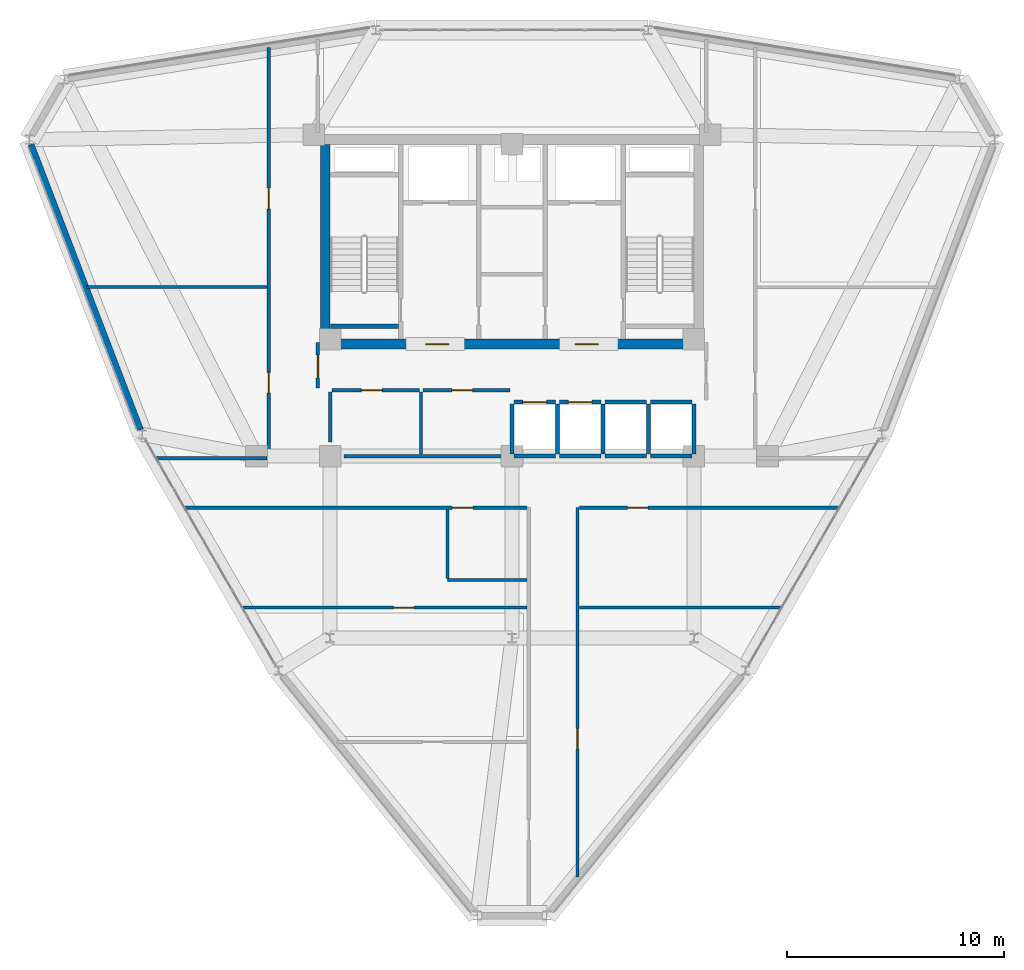
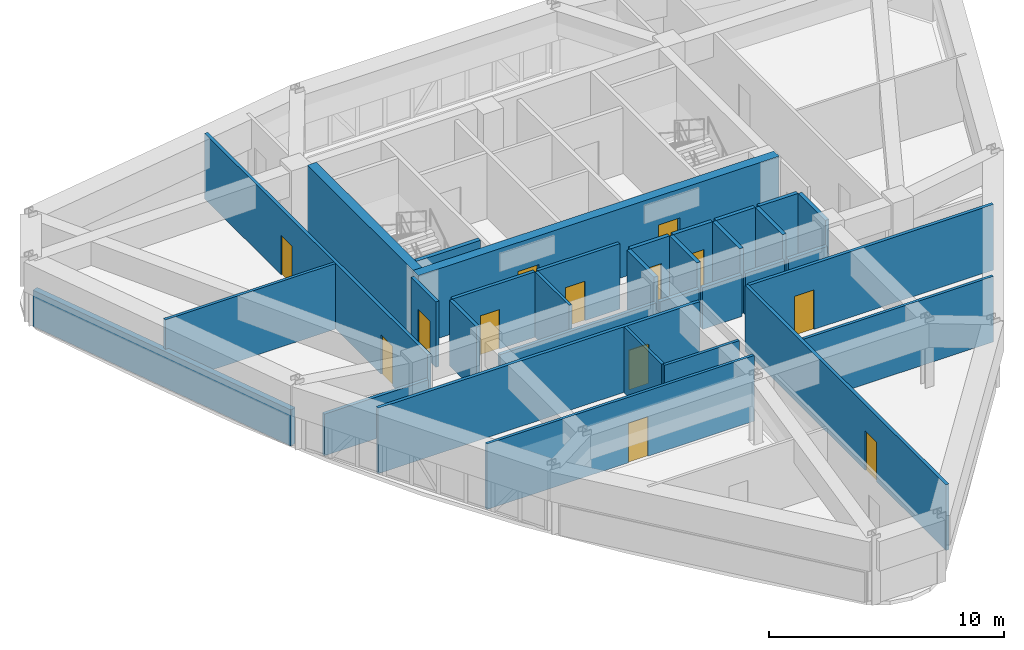
# One storey, part 10 of 13: 33 walls, 13 doors, 13 openings.
"""IFC4 building model written with IfcOpenShell, lengths in metres."""

from ifc_helpers import new_model, si_unit, derived_unit, direction, frame, frame_2d, origin, place, context, subcontext, project, spatial, rectangle, extrude, material, layer, layer_set, type_object, element, fill, save


model = new_model("IFC4")

# Units and contexts
model_context = context("Model", 3, precision=1e-05, world=origin(), true_north=direction((0.0, 1.0)))
body_context = subcontext(model_context, "Body", "Model", "MODEL_VIEW")
ifc_project = project(units=[si_unit("LENGTHUNIT", "METRE"), si_unit("AREAUNIT", "SQUARE_METRE"), si_unit("VOLUMEUNIT", "CUBIC_METRE"), si_unit("PLANEANGLEUNIT", "RADIAN"), si_unit("MASSUNIT", "GRAM", prefix="KILO"), derived_unit("THERMALTRANSMITTANCEUNIT", [(si_unit("POWERUNIT", "WATT"), 1), (si_unit("LENGTHUNIT", "METRE"), -2), (si_unit("THERMODYNAMICTEMPERATUREUNIT", "KELVIN"), -1)])], contexts=[model_context])

# Site, building, storey
site_placement = place(None, origin())
site = spatial("IfcSite", under=ifc_project, at=site_placement, CompositionType="ELEMENT")
building_placement = place(site_placement, origin())
building = spatial("IfcBuilding", under=site, at=building_placement, Name="Korsvarv Bourse and Concert Hall", CompositionType="ELEMENT")
storey_placement = place(building_placement, frame((0.0, 0.0, 183.0)))
storey = spatial("IfcBuildingStorey", under=building, at=storey_placement, Name="L47", CompositionType="ELEMENT", Elevation=183.0)

# Wall
ifc_material_1 = material(Name="Concrete C50/60", Category="concrete")
ifc_layer_1 = layer(ifc_material_1, 0.3798828125)
ifc_layer_set_1 = layer_set([ifc_layer_1], Name="Concrete C50/60")
wall_type_1 = type_object("IfcWallType", Name="WL-CORE-380", PredefinedType="SHEAR", material=ifc_layer_set_1)
wall_1_placement = place(storey_placement, frame((27.610107421875, 38.39990234375, 0.0), z_axis=(0.0, 0.0, 1.0), x_axis=(1.0, 0.0, 0.0)))
element("IfcWall", 1, at=wall_1_placement, inside=storey, type_object=wall_type_1, Name="L47 stair shaft structural wall W-L47-ST1-S", PredefinedType="SHEAR", context=body_context, shape_type="SweptSolid", body=[
    extrude(rectangle(XDim=3.139892578125, YDim=0.199951171875, at=frame_2d((1.56982421875, 0.0))), origin(), (0.0, 0.0, 1.0), 3.60009765625),
])

# Wall, openings, doors
ifc_material_2 = material(Name="Concrete C55/67", Category="concrete")
ifc_layer_2 = layer(ifc_material_2, 0.449951171875)
ifc_layer_set_2 = layer_set([ifc_layer_2], Name="Concrete C55/67")
wall_type_2 = type_object("IfcWallType", Name="WL-CORE-450", PredefinedType="SHEAR", material=ifc_layer_set_2)
wall_2_placement = place(storey_placement, frame((27.14990234375, 37.574951171875, 0.0), z_axis=(0.0, 0.0, 1.0), x_axis=(1.0, 0.0, 0.0)))
wall_2 = element("IfcWall", 2, at=wall_2_placement, inside=storey, type_object=wall_type_2, Name="L47 South Core Shear Wall", PredefinedType="SHEAR", context=body_context, shape_type="SweptSolid", body=[
    extrude(rectangle(XDim=17.7001953125, YDim=0.449951171875, at=frame_2d((8.85009765625, 0.0))), origin(), (0.0, 0.0, 1.0), 3.60009765625),
])
opening_1_placement = place(wall_2_placement, frame((4.875, 0.0, 0.0)))
opening_1 = element("IfcOpeningElement", 3, at=opening_1_placement, cuts=wall_2, Name="Opening D-01", PredefinedType="OPENING", context=body_context, shape_type="SweptSolid", body=[
    extrude(rectangle(XDim=1.050048828125, YDim=2.10009765625, at=frame_2d((0.52490234375, 1.050048828125))), frame((0.0, 0.23486328125, 0.0), z_axis=(0.0, -1.0, 0.0), x_axis=(1.0, 0.0, 0.0)), (0.0, 0.0, 1.0), 0.469970703125),
])
opening_2_placement = place(wall_2_placement, frame((11.77490234375, 0.0, 0.0)))
opening_2 = element("IfcOpeningElement", 4, at=opening_2_placement, cuts=wall_2, Name="Opening D-01", PredefinedType="OPENING", context=body_context, shape_type="SweptSolid", body=[
    extrude(rectangle(XDim=1.050048828125, YDim=2.10009765625, at=frame_2d((0.52490234375, 1.050048828125))), frame((0.0, 0.23486328125, 0.0), z_axis=(0.0, -1.0, 0.0), x_axis=(1.0, 0.0, 0.0)), (0.0, 0.0, 1.0), 0.469970703125),
])
ifc_material_3 = material(Name="Steel S355 fire door", Category="steel")
door_type_1 = type_object("IfcDoorType", Name="DR-FD60", OperationType="NOTDEFINED", PredefinedType="DOOR", material=ifc_material_3)
door_1_placement = place(opening_1_placement, frame((1.050048828125, 0.0, 0.0), z_axis=(0.0, 0.0, 1.0), x_axis=(-1.0, 0.0, 0.0)))
door_1 = element("IfcDoor", 5, at=door_1_placement, inside=storey, type_object=door_type_1, Name="L47 firefighting lobby fire door DR-L47-FFLW", OperationType="SINGLE_SWING_RIGHT", OverallHeight=2.10009765625, OverallWidth=1.050048828125, PredefinedType="DOOR", context=body_context, shape_type="SweptSolid", body=[
    extrude(rectangle(XDim=1.050048828125, YDim=2.10009765625, at=frame_2d((0.52490234375, 1.050048828125))), frame((0.0, 0.02490234375, 0.0), z_axis=(0.0, -1.0, 0.0), x_axis=(1.0, 0.0, 0.0)), (0.0, 0.0, 1.0), 0.050048828125),
])
fill(opening_1, door_1)
door_2_placement = place(opening_2_placement, frame((1.050048828125, 0.0, 0.0), z_axis=(0.0, 0.0, 1.0), x_axis=(-1.0, 0.0, 0.0)))
door_2 = element("IfcDoor", 6, at=door_2_placement, inside=storey, type_object=door_type_1, Name="L47 firefighting lobby fire door DR-L47-FFLE", OperationType="SINGLE_SWING_LEFT", OverallHeight=2.10009765625, OverallWidth=1.050048828125, PredefinedType="DOOR", context=body_context, shape_type="SweptSolid", body=[
    extrude(rectangle(XDim=1.050048828125, YDim=2.10009765625, at=frame_2d((0.52490234375, 1.050048828125))), frame((0.0, 0.02490234375, 0.0), z_axis=(0.0, -1.0, 0.0), x_axis=(1.0, 0.0, 0.0)), (0.0, 0.0, 1.0), 0.050048828125),
])
fill(opening_2, door_2)

# Walls
wall_3_placement = place(storey_placement, frame((27.375, 37.800048828125, 0.0), z_axis=(0.0, 0.0, 1.0), x_axis=(0.0, 1.0, 0.0)))
element("IfcWall", 7, at=wall_3_placement, inside=storey, type_object=wall_type_2, Name="L47 West Core Shear Wall", PredefinedType="SHEAR", context=body_context, shape_type="SweptSolid", body=[
    extrude(rectangle(XDim=9.0, YDim=0.449951171875, at=frame_2d((4.5, 0.0))), origin(), (0.0, 0.0, 1.0), 3.60009765625),
])
ifc_material_4 = material(Name="Precast concrete C45/55 with fluted terracotta pier", Category="concrete")
ifc_layer_3 = layer(ifc_material_4, 0.280029296875)
ifc_layer_set_3 = layer_set([ifc_layer_3], Name="Precast concrete C45/55 with fluted terracotta pier")
wall_type_3 = type_object("IfcWallType", Name="WL-EXT-TC2", PredefinedType="SOLIDWALL", material=ifc_layer_set_3)
wall_4_placement = place(storey_placement, frame((13.79150390625, 46.7998046875, 0.0), z_axis=(0.0, 0.0, 1.0), x_axis=(0.358033263681, -0.933708831541, 0.0)))
element("IfcWall", 8, at=wall_4_placement, inside=storey, type_object=wall_type_3, Name="L47 terracotta exterior wall EW-L47-B06", PredefinedType="SOLIDWALL", context=body_context, shape_type="SweptSolid", body=[
    extrude(rectangle(XDim=14.1171875, YDim=0.280029296875, at=frame_2d((7.05859375, 0.0))), origin(), (0.0, 0.0, 1.0), 1.8701171875),
])
ifc_material_5 = material(Name="Double-stud fire-rated acoustic partition", Category="gypsum")
ifc_layer_4 = layer(ifc_material_5, 0.159912109375)
ifc_layer_set_4 = layer_set([ifc_layer_4], Name="Double-stud fire-rated acoustic partition")
wall_type_4 = type_object("IfcWallType", Name="WL-INT-EI60", PredefinedType="PARTITIONING", material=ifc_layer_set_4)
wall_5_placement = place(storey_placement, frame((28.25, 32.39990234375, 0.0), z_axis=(0.0, 0.0, 1.0), x_axis=(1.0, 0.0, 0.0)))
element("IfcWall", 9, at=wall_5_placement, inside=storey, type_object=wall_type_4, Name="L47 interior partition wall W-L47-FRD-S", PredefinedType="PARTITIONING", context=body_context, shape_type="SweptSolid", body=[
    extrude(rectangle(XDim=7.64990234375, YDim=0.159912109375, at=frame_2d((3.824951171875, 0.0))), origin(), (0.0, 0.0, 1.0), 2.159912109375),
])
wall_6_placement = place(storey_placement, frame((27.60009765625, 33.050048828125, 0.0), z_axis=(0.0, 0.0, 1.0), x_axis=(0.0, 1.0, 0.0)))
element("IfcWall", 10, at=wall_6_placement, inside=storey, type_object=wall_type_4, Name="L47 interior partition wall W-L47-FRD-W", PredefinedType="PARTITIONING", context=body_context, shape_type="SweptSolid", body=[
    extrude(rectangle(XDim=2.31005859375, YDim=0.159912109375, at=frame_2d((1.155029296875, 0.0))), origin(), (0.0, 0.0, 1.0), 3.39990234375),
])

# Wall, opening, door
wall_7_placement = place(storey_placement, frame((27.68994140625, 35.449951171875, 0.0), z_axis=(0.0, 0.0, 1.0), x_axis=(1.0, 0.0, 0.0)))
wall_7 = element("IfcWall", 11, at=wall_7_placement, inside=storey, type_object=wall_type_4, Name="L47 interior partition wall W-L47-FRD-N1", PredefinedType="PARTITIONING", context=body_context, shape_type="SweptSolid", body=[
    extrude(rectangle(XDim=4.030029296875, YDim=0.159912109375, at=frame_2d((2.01513671875, 0.0))), origin(), (0.0, 0.0, 1.0), 3.39990234375),
])
opening_3_placement = place(wall_7_placement, frame((1.35009765625, 0.0, 0.0)))
opening_3 = element("IfcOpeningElement", 12, at=opening_3_placement, cuts=wall_7, Name="Opening D-03", PredefinedType="OPENING", context=body_context, shape_type="SweptSolid", body=[
    extrude(rectangle(XDim=0.949951171875, YDim=2.050048828125, at=frame_2d((0.47509765625, 1.02490234375))), frame((0.0, 0.08984375, 0.0), z_axis=(0.0, -1.0, 0.0), x_axis=(1.0, 0.0, 0.0)), (0.0, 0.0, 1.0), 0.179931640625),
])
ifc_material_6 = material(Name="Nordic oak acoustic office door", Category="wood")
door_type_2 = type_object("IfcDoorType", Name="DR-INT-1", OperationType="NOTDEFINED", PredefinedType="DOOR", material=ifc_material_6)
door_3_placement = place(opening_3_placement, origin())
door_3 = element("IfcDoor", 13, at=door_3_placement, inside=storey, type_object=door_type_2, Name="L47 interior door DR-L47-FRDN1", OperationType="SINGLE_SWING_LEFT", OverallHeight=2.050048828125, OverallWidth=0.949951171875, PredefinedType="DOOR", context=body_context, shape_type="SweptSolid", body=[
    extrude(rectangle(XDim=0.949951171875, YDim=2.050048828125, at=frame_2d((0.47509765625, 1.02490234375))), frame((0.0, 0.02490234375, 0.0), z_axis=(0.0, -1.0, 0.0), x_axis=(1.0, 0.0, 0.0)), (0.0, 0.0, 1.0), 0.050048828125),
])
fill(opening_3, door_3)

wall_8_placement = place(storey_placement, frame((31.8798828125, 35.449951171875, 0.0), z_axis=(0.0, 0.0, 1.0), x_axis=(1.0, 0.0, 0.0)))
wall_8 = element("IfcWall", 14, at=wall_8_placement, inside=storey, type_object=wall_type_4, Name="L47 interior partition wall W-L47-FRD-N2", PredefinedType="PARTITIONING", context=body_context, shape_type="SweptSolid", body=[
    extrude(rectangle(XDim=4.02001953125, YDim=0.159912109375, at=frame_2d((2.010009765625, 0.0))), origin(), (0.0, 0.0, 1.0), 3.39990234375),
])
opening_4_placement = place(wall_8_placement, frame((1.35009765625, 0.0, 0.0)))
opening_4 = element("IfcOpeningElement", 15, at=opening_4_placement, cuts=wall_8, Name="Opening D-03", PredefinedType="OPENING", context=body_context, shape_type="SweptSolid", body=[
    extrude(rectangle(XDim=0.949951171875, YDim=2.050048828125, at=frame_2d((0.47509765625, 1.02490234375))), frame((0.0, 0.08984375, 0.0), z_axis=(0.0, -1.0, 0.0), x_axis=(1.0, 0.0, 0.0)), (0.0, 0.0, 1.0), 0.179931640625),
])
door_4_placement = place(opening_4_placement, origin())
door_4 = element("IfcDoor", 16, at=door_4_placement, inside=storey, type_object=door_type_2, Name="L47 interior door DR-L47-FRDN2", OperationType="SINGLE_SWING_RIGHT", OverallHeight=2.050048828125, OverallWidth=0.949951171875, PredefinedType="DOOR", context=body_context, shape_type="SweptSolid", body=[
    extrude(rectangle(XDim=0.949951171875, YDim=2.050048828125, at=frame_2d((0.47509765625, 1.02490234375))), frame((0.0, 0.02490234375, 0.0), z_axis=(0.0, -1.0, 0.0), x_axis=(1.0, 0.0, 0.0)), (0.0, 0.0, 1.0), 0.050048828125),
])
fill(opening_4, door_4)

wall_9_placement = place(storey_placement, frame((27.0400390625, 35.5400390625, 0.0), z_axis=(0.0, 0.0, 1.0), x_axis=(0.0, 1.0, 0.0)))
wall_9 = element("IfcWall", 17, at=wall_9_placement, inside=storey, type_object=wall_type_4, Name="L47 interior partition wall W-L47-LOB-WL", PredefinedType="PARTITIONING", context=body_context, shape_type="SweptSolid", body=[
    extrude(rectangle(XDim=2.10986328125, YDim=0.159912109375, at=frame_2d((1.054931640625, 0.0))), origin(), (0.0, 0.0, 1.0), 3.39990234375),
])
opening_5_placement = place(wall_9_placement, frame((0.47998046875, 0.0, 0.0)))
opening_5 = element("IfcOpeningElement", 18, at=opening_5_placement, cuts=wall_9, Name="Opening D-01", PredefinedType="OPENING", context=body_context, shape_type="SweptSolid", body=[
    extrude(rectangle(XDim=1.050048828125, YDim=2.10009765625, at=frame_2d((0.52490234375, 1.050048828125))), frame((0.0, 0.08984375, 0.0), z_axis=(0.0, -1.0, 0.0), x_axis=(1.0, 0.0, 0.0)), (0.0, 0.0, 1.0), 0.179931640625),
])
door_5_placement = place(opening_5_placement, frame((1.050048828125, 0.0, 0.0), z_axis=(0.0, 0.0, 1.0), x_axis=(-1.0, 0.0, 0.0)))
door_5 = element("IfcDoor", 19, at=door_5_placement, inside=storey, type_object=door_type_1, Name="L47 interior door DR-L47-LOBW", OperationType="SINGLE_SWING_LEFT", OverallHeight=2.10009765625, OverallWidth=1.050048828125, PredefinedType="DOOR", context=body_context, shape_type="SweptSolid", body=[
    extrude(rectangle(XDim=1.050048828125, YDim=2.10009765625, at=frame_2d((0.52490234375, 1.050048828125))), frame((0.0, 0.02490234375, 0.0), z_axis=(0.0, -1.0, 0.0), x_axis=(1.0, 0.0, 0.0)), (0.0, 0.0, 1.0), 0.050048828125),
])
fill(opening_5, door_5)

# Wall, openings, doors
wall_10_placement = place(storey_placement, frame((24.77490234375, 32.31005859375, 0.0), z_axis=(0.0, 0.0, 1.0), x_axis=(0.0, 1.0, 0.0)))
wall_10 = element("IfcWall", 20, at=wall_10_placement, inside=storey, type_object=wall_type_4, Name="L47 interior partition wall W-L47-TCOR-02", PredefinedType="PARTITIONING", context=body_context, shape_type="SweptSolid", body=[
    extrude(rectangle(XDim=18.96875, YDim=0.159912109375, at=frame_2d((9.484375, 0.0))), origin(), (0.0, 0.0, 1.0), 3.39990234375),
])
opening_6_placement = place(wall_10_placement, frame((3.008056640625, 0.0, 0.0)))
opening_6 = element("IfcOpeningElement", 21, at=opening_6_placement, cuts=wall_10, Name="Opening D-02", PredefinedType="OPENING", context=body_context, shape_type="SweptSolid", body=[
    extrude(rectangle(XDim=0.949951171875, YDim=2.050048828125, at=frame_2d((0.47509765625, 1.02490234375))), frame((0.0, 0.08984375, 0.0), z_axis=(0.0, -1.0, 0.0), x_axis=(1.0, 0.0, 0.0)), (0.0, 0.0, 1.0), 0.179931640625),
])
opening_7_placement = place(wall_10_placement, frame((11.512939453125, 0.0, 0.0)))
opening_7 = element("IfcOpeningElement", 22, at=opening_7_placement, cuts=wall_10, Name="Opening D-02", PredefinedType="OPENING", context=body_context, shape_type="SweptSolid", body=[
    extrude(rectangle(XDim=0.949951171875, YDim=2.050048828125, at=frame_2d((0.47509765625, 1.02490234375))), frame((0.0, 0.08984375, 0.0), z_axis=(0.0, -1.0, 0.0), x_axis=(1.0, 0.0, 0.0)), (0.0, 0.0, 1.0), 0.179931640625),
])
ifc_material_7 = material(Name="Timber and steel acoustic fire door", Category="wood")
door_type_3 = type_object("IfcDoorType", Name="DR-FD30", OperationType="NOTDEFINED", PredefinedType="DOOR", material=ifc_material_7)
door_6_placement = place(opening_6_placement, origin())
door_6 = element("IfcDoor", 23, at=door_6_placement, inside=storey, type_object=door_type_3, Name="L47 interior door DR-L47-TCOR-AR79", OperationType="SINGLE_SWING_LEFT", OverallHeight=2.050048828125, OverallWidth=0.949951171875, PredefinedType="DOOR", context=body_context, shape_type="SweptSolid", body=[
    extrude(rectangle(XDim=0.949951171875, YDim=2.050048828125, at=frame_2d((0.47509765625, 1.02490234375))), frame((0.0, 0.02490234375, 0.0), z_axis=(0.0, -1.0, 0.0), x_axis=(1.0, 0.0, 0.0)), (0.0, 0.0, 1.0), 0.050048828125),
])
fill(opening_6, door_6)
door_7_placement = place(opening_7_placement, origin())
door_7 = element("IfcDoor", 24, at=door_7_placement, inside=storey, type_object=door_type_3, Name="L47 interior door DR-L47-TCOR-RM1010", OperationType="SINGLE_SWING_RIGHT", OverallHeight=2.050048828125, OverallWidth=0.949951171875, PredefinedType="DOOR", context=body_context, shape_type="SweptSolid", body=[
    extrude(rectangle(XDim=0.949951171875, YDim=2.050048828125, at=frame_2d((0.47509765625, 1.02490234375))), frame((0.0, 0.02490234375, 0.0), z_axis=(0.0, -1.0, 0.0), x_axis=(1.0, 0.0, 0.0)), (0.0, 0.0, 1.0), 0.050048828125),
])
fill(opening_7, door_7)

# Wall, opening, door
wall_11_placement = place(storey_placement, frame((39.02490234375, 12.95849609375, 0.0), z_axis=(0.0, 0.0, 1.0), x_axis=(0.0, 1.0, 0.0)))
wall_11 = element("IfcWall", 25, at=wall_11_placement, inside=storey, type_object=wall_type_4, Name="L47 interior partition wall W-L47-TCOR-04", PredefinedType="PARTITIONING", context=body_context, shape_type="SweptSolid", body=[
    extrude(rectangle(XDim=17.071533203125, YDim=0.159912109375, at=frame_2d((8.53564453125, 0.0))), origin(), (0.0, 0.0, 1.0), 3.39990234375),
])
opening_8_placement = place(wall_11_placement, frame((5.908203125, 0.0, 0.0)))
opening_8 = element("IfcOpeningElement", 26, at=opening_8_placement, cuts=wall_11, Name="Opening D-02", PredefinedType="OPENING", context=body_context, shape_type="SweptSolid", body=[
    extrude(rectangle(XDim=0.949951171875, YDim=2.050048828125, at=frame_2d((0.47509765625, 1.02490234375))), frame((0.0, 0.08984375, 0.0), z_axis=(0.0, -1.0, 0.0), x_axis=(1.0, 0.0, 0.0)), (0.0, 0.0, 1.0), 0.179931640625),
])
door_8_placement = place(opening_8_placement, origin())
door_8 = element("IfcDoor", 27, at=door_8_placement, inside=storey, type_object=door_type_3, Name="L47 interior door DR-L47-TCOR-AR43", OperationType="SINGLE_SWING_RIGHT", OverallHeight=2.050048828125, OverallWidth=0.949951171875, PredefinedType="DOOR", context=body_context, shape_type="SweptSolid", body=[
    extrude(rectangle(XDim=0.949951171875, YDim=2.050048828125, at=frame_2d((0.47509765625, 1.02490234375))), frame((0.0, 0.02490234375, 0.0), z_axis=(0.0, -1.0, 0.0), x_axis=(1.0, 0.0, 0.0)), (0.0, 0.0, 1.0), 0.050048828125),
])
fill(opening_8, door_8)

wall_12_placement = place(storey_placement, frame((20.8994140625, 30.02490234375, 0.0), z_axis=(0.0, 0.0, 1.0), x_axis=(1.0, 0.0, 0.0)))
wall_12 = element("IfcWall", 28, at=wall_12_placement, inside=storey, type_object=wall_type_4, Name="L47 interior partition wall W-L47-TCOR-05", PredefinedType="PARTITIONING", context=body_context, shape_type="SweptSolid", body=[
    extrude(rectangle(XDim=15.793701171875, YDim=0.159912109375, at=frame_2d((7.89697265625, 0.0))), origin(), (0.0, 0.0, 1.0), 3.39990234375),
])
opening_9_placement = place(wall_12_placement, frame((12.3408203125, 0.0, 0.0)))
opening_9 = element("IfcOpeningElement", 29, at=opening_9_placement, cuts=wall_12, Name="Opening D-02", PredefinedType="OPENING", context=body_context, shape_type="SweptSolid", body=[
    extrude(rectangle(XDim=0.949951171875, YDim=2.050048828125, at=frame_2d((0.47509765625, 1.02490234375))), frame((0.0, 0.08984375, 0.0), z_axis=(0.0, -1.0, 0.0), x_axis=(1.0, 0.0, 0.0)), (0.0, 0.0, 1.0), 0.179931640625),
])
door_9_placement = place(opening_9_placement, origin())
door_9 = element("IfcDoor", 30, at=door_9_placement, inside=storey, type_object=door_type_3, Name="L47 interior door DR-L47-TCOR-RWC", OperationType="SINGLE_SWING_LEFT", OverallHeight=2.050048828125, OverallWidth=0.949951171875, PredefinedType="DOOR", context=body_context, shape_type="SweptSolid", body=[
    extrude(rectangle(XDim=0.949951171875, YDim=2.050048828125, at=frame_2d((0.47509765625, 1.02490234375))), frame((0.0, 0.02490234375, 0.0), z_axis=(0.0, -1.0, 0.0), x_axis=(1.0, 0.0, 0.0)), (0.0, 0.0, 1.0), 0.050048828125),
])
fill(opening_9, door_9)

wall_13_placement = place(storey_placement, frame((39.10693359375, 30.02490234375, 0.0), z_axis=(0.0, 0.0, 1.0), x_axis=(1.0, 0.0, 0.0)))
wall_13 = element("IfcWall", 31, at=wall_13_placement, inside=storey, type_object=wall_type_4, Name="L47 interior partition wall W-L47-TCOR-06", PredefinedType="PARTITIONING", context=body_context, shape_type="SweptSolid", body=[
    extrude(rectangle(XDim=11.99365234375, YDim=0.159912109375, at=frame_2d((5.996826171875, 0.0))), origin(), (0.0, 0.0, 1.0), 3.39990234375),
])
opening_10_placement = place(wall_13_placement, frame((2.2255859375, 0.0, 0.0)))
opening_10 = element("IfcOpeningElement", 32, at=opening_10_placement, cuts=wall_13, Name="Opening D-02", PredefinedType="OPENING", context=body_context, shape_type="SweptSolid", body=[
    extrude(rectangle(XDim=0.949951171875, YDim=2.050048828125, at=frame_2d((0.47509765625, 1.02490234375))), frame((0.0, 0.08984375, 0.0), z_axis=(0.0, -1.0, 0.0), x_axis=(1.0, 0.0, 0.0)), (0.0, 0.0, 1.0), 0.179931640625),
])
door_10_placement = place(opening_10_placement, origin())
door_10 = element("IfcDoor", 33, at=door_10_placement, inside=storey, type_object=door_type_3, Name="L47 interior door DR-L47-TCOR-AR24", OperationType="SINGLE_SWING_RIGHT", OverallHeight=2.050048828125, OverallWidth=0.949951171875, PredefinedType="DOOR", context=body_context, shape_type="SweptSolid", body=[
    extrude(rectangle(XDim=0.949951171875, YDim=2.050048828125, at=frame_2d((0.47509765625, 1.02490234375))), frame((0.0, 0.02490234375, 0.0), z_axis=(0.0, -1.0, 0.0), x_axis=(1.0, 0.0, 0.0)), (0.0, 0.0, 1.0), 0.050048828125),
])
fill(opening_10, door_10)

# Wall
wall_14_placement = place(storey_placement, frame((19.5771484375, 32.31494140625, 0.0), z_axis=(0.0, 0.0, 1.0), x_axis=(1.0, 0.0, 0.0)))
element("IfcWall", 34, at=wall_14_placement, inside=storey, type_object=wall_type_4, Name="L47 interior partition wall W-L47-TCOR-08", PredefinedType="PARTITIONING", context=body_context, shape_type="SweptSolid", body=[
    extrude(rectangle(XDim=5.115966796875, YDim=0.159912109375, at=frame_2d((2.55810546875, 0.0))), origin(), (0.0, 0.0, 1.0), 2.159912109375),
])

# Wall, opening, door
ifc_material_8 = material(Name="Gypsum-clad autoclaved concrete shaft wall C30/37", Category="concrete")
ifc_layer_5 = layer(ifc_material_8, 0.179931640625)
ifc_layer_set_5 = layer_set([ifc_layer_5], Name="Gypsum-clad autoclaved concrete shaft wall C30/37")
wall_type_5 = type_object("IfcWallType", Name="WL-INT-EI90", PredefinedType="PARTITIONING", material=ifc_layer_set_5)
wall_15_placement = place(storey_placement, frame((36.090087890625, 34.89990234375, 0.0), z_axis=(0.0, 0.0, 1.0), x_axis=(1.0, 0.0, 0.0)))
wall_15 = element("IfcWall", 35, at=wall_15_placement, inside=storey, type_object=wall_type_5, Name="L47 interior partition wall W-L47-SHFN-PH1", PredefinedType="PARTITIONING", context=body_context, shape_type="SweptSolid", body=[
    extrude(rectangle(XDim=1.919921875, YDim=0.179931640625, at=frame_2d((0.9599609375, 0.0))), origin(), (0.0, 0.0, 1.0), 3.39990234375),
])
opening_11_placement = place(wall_15_placement, frame((0.409912109375, 0.0, 0.0)))
opening_11 = element("IfcOpeningElement", 36, at=opening_11_placement, cuts=wall_15, Name="Opening LD-2", PredefinedType="OPENING", context=body_context, shape_type="SweptSolid", body=[
    extrude(rectangle(XDim=1.10009765625, YDim=2.10009765625, at=frame_2d((0.550048828125, 1.050048828125))), frame((0.0, 0.10009765625, 0.0), z_axis=(0.0, -1.0, 0.0), x_axis=(1.0, 0.0, 0.0)), (0.0, 0.0, 1.0), 0.199951171875),
])
ifc_material_9 = material(Name="Brushed stainless Steel S355 lift landing door", Category="steel")
door_type_4 = type_object("IfcDoorType", Name="DR-LIFT-P", OperationType="DOUBLE_DOOR_SLIDING", PredefinedType="DOOR", material=ifc_material_9)
door_11_placement = place(opening_11_placement, origin())
door_11 = element("IfcDoor", 37, at=door_11_placement, inside=storey, type_object=door_type_4, Name="L47 lift sliding landing door LD-L47-PH1", OperationType="DOUBLE_DOOR_SLIDING", OverallHeight=2.10009765625, OverallWidth=1.10009765625, PredefinedType="DOOR", context=body_context, shape_type="SweptSolid", body=[
    extrude(rectangle(XDim=1.10009765625, YDim=2.10009765625, at=frame_2d((0.550048828125, 1.050048828125))), frame((0.0, 0.02490234375, 0.0), z_axis=(0.0, -1.0, 0.0), x_axis=(1.0, 0.0, 0.0)), (0.0, 0.0, 1.0), 0.050048828125),
])
fill(opening_11, door_11)

# Walls
wall_16_placement = place(storey_placement, frame((36.090087890625, 32.39990234375, 0.0), z_axis=(0.0, 0.0, 1.0), x_axis=(1.0, 0.0, 0.0)))
element("IfcWall", 38, at=wall_16_placement, inside=storey, type_object=wall_type_5, Name="L47 interior partition wall W-L47-SHFS-PH1", PredefinedType="PARTITIONING", context=body_context, shape_type="SweptSolid", body=[
    extrude(rectangle(XDim=1.919921875, YDim=0.179931640625, at=frame_2d((0.9599609375, 0.0))), origin(), (0.0, 0.0, 1.0), 2.159912109375),
])
wall_17_placement = place(storey_placement, frame((36.0, 32.489990234375, 0.0), z_axis=(0.0, 0.0, 1.0), x_axis=(0.0, 1.0, 0.0)))
element("IfcWall", 39, at=wall_17_placement, inside=storey, type_object=wall_type_5, Name="L47 interior partition wall W-L47-SHFW-PH1", PredefinedType="PARTITIONING", context=body_context, shape_type="SweptSolid", body=[
    extrude(rectangle(XDim=2.320068359375, YDim=0.179931640625, at=frame_2d((1.16015625, 0.0))), origin(), (0.0, 0.0, 1.0), 3.39990234375),
])

# Wall, opening, door
wall_18_placement = place(storey_placement, frame((38.18994140625, 34.89990234375, 0.0), z_axis=(0.0, 0.0, 1.0), x_axis=(1.0, 0.0, 0.0)))
wall_18 = element("IfcWall", 40, at=wall_18_placement, inside=storey, type_object=wall_type_5, Name="L47 interior partition wall W-L47-SHFN-PH2", PredefinedType="PARTITIONING", context=body_context, shape_type="SweptSolid", body=[
    extrude(rectangle(XDim=1.920166015625, YDim=0.179931640625, at=frame_2d((0.9599609375, 0.0))), origin(), (0.0, 0.0, 1.0), 3.39990234375),
])
opening_12_placement = place(wall_18_placement, frame((0.409912109375, 0.0, 0.0)))
opening_12 = element("IfcOpeningElement", 41, at=opening_12_placement, cuts=wall_18, Name="Opening LD-2", PredefinedType="OPENING", context=body_context, shape_type="SweptSolid", body=[
    extrude(rectangle(XDim=1.10009765625, YDim=2.10009765625, at=frame_2d((0.550048828125, 1.050048828125))), frame((0.0, 0.10009765625, 0.0), z_axis=(0.0, -1.0, 0.0), x_axis=(1.0, 0.0, 0.0)), (0.0, 0.0, 1.0), 0.199951171875),
])
door_12_placement = place(opening_12_placement, origin())
door_12 = element("IfcDoor", 42, at=door_12_placement, inside=storey, type_object=door_type_4, Name="L47 lift sliding landing door LD-L47-PH2", OperationType="DOUBLE_DOOR_SLIDING", OverallHeight=2.10009765625, OverallWidth=1.10009765625, PredefinedType="DOOR", context=body_context, shape_type="SweptSolid", body=[
    extrude(rectangle(XDim=1.10009765625, YDim=2.10009765625, at=frame_2d((0.550048828125, 1.050048828125))), frame((0.0, 0.02490234375, 0.0), z_axis=(0.0, -1.0, 0.0), x_axis=(1.0, 0.0, 0.0)), (0.0, 0.0, 1.0), 0.050048828125),
])
fill(opening_12, door_12)

# Walls
wall_19_placement = place(storey_placement, frame((38.18994140625, 32.39990234375, 0.0), z_axis=(0.0, 0.0, 1.0), x_axis=(1.0, 0.0, 0.0)))
element("IfcWall", 43, at=wall_19_placement, inside=storey, type_object=wall_type_5, Name="L47 interior partition wall W-L47-SHFS-PH2", PredefinedType="PARTITIONING", context=body_context, shape_type="SweptSolid", body=[
    extrude(rectangle(XDim=1.920166015625, YDim=0.179931640625, at=frame_2d((0.9599609375, 0.0))), origin(), (0.0, 0.0, 1.0), 2.159912109375),
])
wall_20_placement = place(storey_placement, frame((38.10009765625, 32.489990234375, 0.0), z_axis=(0.0, 0.0, 1.0), x_axis=(0.0, 1.0, 0.0)))
element("IfcWall", 44, at=wall_20_placement, inside=storey, type_object=wall_type_5, Name="L47 interior partition wall W-L47-SHFW-PH2", PredefinedType="PARTITIONING", context=body_context, shape_type="SweptSolid", body=[
    extrude(rectangle(XDim=2.320068359375, YDim=0.179931640625, at=frame_2d((1.16015625, 0.0))), origin(), (0.0, 0.0, 1.0), 3.39990234375),
])
wall_21_placement = place(storey_placement, frame((40.2900390625, 34.89990234375, 0.0), z_axis=(0.0, 0.0, 1.0), x_axis=(1.0, 0.0, 0.0)))
element("IfcWall", 45, at=wall_21_placement, inside=storey, type_object=wall_type_5, Name="L47 interior partition wall W-L47-SHFN-PO1", PredefinedType="PARTITIONING", context=body_context, shape_type="SweptSolid", body=[
    extrude(rectangle(XDim=1.919921875, YDim=0.179931640625, at=frame_2d((0.9599609375, 0.0))), origin(), (0.0, 0.0, 1.0), 3.39990234375),
])
wall_22_placement = place(storey_placement, frame((40.2900390625, 32.39990234375, 0.0), z_axis=(0.0, 0.0, 1.0), x_axis=(1.0, 0.0, 0.0)))
element("IfcWall", 46, at=wall_22_placement, inside=storey, type_object=wall_type_5, Name="L47 interior partition wall W-L47-SHFS-PO1", PredefinedType="PARTITIONING", context=body_context, shape_type="SweptSolid", body=[
    extrude(rectangle(XDim=1.919921875, YDim=0.179931640625, at=frame_2d((0.9599609375, 0.0))), origin(), (0.0, 0.0, 1.0), 2.159912109375),
])
wall_23_placement = place(storey_placement, frame((40.199951171875, 32.489990234375, 0.0), z_axis=(0.0, 0.0, 1.0), x_axis=(0.0, 1.0, 0.0)))
element("IfcWall", 47, at=wall_23_placement, inside=storey, type_object=wall_type_5, Name="L47 interior partition wall W-L47-SHFW-PO1", PredefinedType="PARTITIONING", context=body_context, shape_type="SweptSolid", body=[
    extrude(rectangle(XDim=2.320068359375, YDim=0.179931640625, at=frame_2d((1.16015625, 0.0))), origin(), (0.0, 0.0, 1.0), 3.39990234375),
])
wall_24_placement = place(storey_placement, frame((42.389892578125, 34.89990234375, 0.0), z_axis=(0.0, 0.0, 1.0), x_axis=(1.0, 0.0, 0.0)))
element("IfcWall", 48, at=wall_24_placement, inside=storey, type_object=wall_type_5, Name="L47 interior partition wall W-L47-SHFN-PO2", PredefinedType="PARTITIONING", context=body_context, shape_type="SweptSolid", body=[
    extrude(rectangle(XDim=1.920166015625, YDim=0.179931640625, at=frame_2d((0.9599609375, 0.0))), origin(), (0.0, 0.0, 1.0), 3.39990234375),
])
wall_25_placement = place(storey_placement, frame((42.389892578125, 32.39990234375, 0.0), z_axis=(0.0, 0.0, 1.0), x_axis=(1.0, 0.0, 0.0)))
element("IfcWall", 49, at=wall_25_placement, inside=storey, type_object=wall_type_5, Name="L47 interior partition wall W-L47-SHFS-PO2", PredefinedType="PARTITIONING", context=body_context, shape_type="SweptSolid", body=[
    extrude(rectangle(XDim=1.920166015625, YDim=0.179931640625, at=frame_2d((0.9599609375, 0.0))), origin(), (0.0, 0.0, 1.0), 2.159912109375),
])
for number, where, z_axis, x_axis, name in (
    (50, (42.300048828125, 32.489990234375, 0.0), (0.0, 0.0, 1.0), (0.0, 1.0, 0.0), "L47 interior partition wall W-L47-SHFW-PO2"),
    (51, (44.39990234375, 32.489990234375, 0.0), (0.0, 0.0, 1.0), (0.0, 1.0, 0.0), "L47 interior partition wall W-L47-SHFE-END"),
):
    element("IfcWall", number, at=place(storey_placement, frame(where, z_axis=z_axis, x_axis=x_axis)), inside=storey, type_object=wall_type_5, Name=name, PredefinedType="PARTITIONING", context=body_context, shape_type="SweptSolid", body=[
        extrude(rectangle(XDim=2.320068359375, YDim=0.179931640625, at=frame_2d((1.16015625, 0.0))), origin(), (0.0, 0.0, 1.0), 3.39990234375),
    ])
ifc_material_10 = material(Name="Insulated steel-stud office acoustic partition", Category="gypsum")
ifc_layer_6 = layer(ifc_material_10, 0.139892578125)
ifc_layer_set_6 = layer_set([ifc_layer_6], Name="Insulated steel-stud office acoustic partition")
wall_type_6 = type_object("IfcWallType", Name="WL-INT-P1", PredefinedType="PARTITIONING", material=ifc_layer_set_6)
wall_26_placement = place(storey_placement, frame((31.800048828125, 32.489990234375, 0.0), z_axis=(0.0, 0.0, 1.0), x_axis=(0.0, 1.0, 0.0)))
element("IfcWall", 52, at=wall_26_placement, inside=storey, type_object=wall_type_6, Name="L47 interior partition wall W-L47-FRD-V", PredefinedType="PARTITIONING", context=body_context, shape_type="SweptSolid", body=[
    extrude(rectangle(XDim=2.8701171875, YDim=0.139892578125, at=frame_2d((1.43505859375, 0.0))), origin(), (0.0, 0.0, 1.0), 3.39990234375),
])

# Wall, opening, door
wall_27_placement = place(storey_placement, frame((23.566650390625, 25.405029296875, 0.0), z_axis=(0.0, 0.0, 1.0), x_axis=(1.0, 0.0, 0.0)))
wall_27 = element("IfcWall", 53, at=wall_27_placement, inside=storey, type_object=wall_type_6, Name="L47 interior partition wall W-L47-TCOR-11", PredefinedType="PARTITIONING", context=body_context, shape_type="SweptSolid", body=[
    extrude(rectangle(XDim=13.12646484375, YDim=0.139892578125, at=frame_2d((6.563232421875, 0.0))), origin(), (0.0, 0.0, 1.0), 3.39990234375),
])
opening_13_placement = place(wall_27_placement, frame((6.95458984375, 0.0, 0.0)))
opening_13 = element("IfcOpeningElement", 54, at=opening_13_placement, cuts=wall_27, Name="Opening D-03", PredefinedType="OPENING", context=body_context, shape_type="SweptSolid", body=[
    extrude(rectangle(XDim=0.949951171875, YDim=2.050048828125, at=frame_2d((0.47509765625, 1.02490234375))), frame((0.0, 0.080078125, 0.0), z_axis=(0.0, -1.0, 0.0), x_axis=(1.0, 0.0, 0.0)), (0.0, 0.0, 1.0), 0.159912109375),
])
door_13_placement = place(opening_13_placement, origin())
door_13 = element("IfcDoor", 55, at=door_13_placement, inside=storey, type_object=door_type_2, Name="L47 interior door DR-L47-TCOR-AR18", OperationType="SINGLE_SWING_RIGHT", OverallHeight=2.050048828125, OverallWidth=0.949951171875, PredefinedType="DOOR", context=body_context, shape_type="SweptSolid", body=[
    extrude(rectangle(XDim=0.949951171875, YDim=2.050048828125, at=frame_2d((0.47509765625, 1.02490234375))), frame((0.0, 0.02490234375, 0.0), z_axis=(0.0, -1.0, 0.0), x_axis=(1.0, 0.0, 0.0)), (0.0, 0.0, 1.0), 0.050048828125),
])
fill(opening_13, door_13)

# Walls
wall_28_placement = place(storey_placement, frame((39.10693359375, 25.405029296875, 0.0), z_axis=(0.0, 0.0, 1.0), x_axis=(1.0, 0.0, 0.0)))
element("IfcWall", 56, at=wall_28_placement, inside=storey, type_object=wall_type_6, Name="L47 interior partition wall W-L47-TCOR-12", PredefinedType="PARTITIONING", context=body_context, shape_type="SweptSolid", body=[
    extrude(rectangle(XDim=9.326416015625, YDim=0.139892578125, at=frame_2d((4.6630859375, 0.0))), origin(), (0.0, 0.0, 1.0), 3.39990234375),
])
wall_29_placement = place(storey_placement, frame((16.34033203125, 40.205078125, 0.0), z_axis=(0.0, 0.0, 1.0), x_axis=(1.0, 0.0, 0.0)))
element("IfcWall", 57, at=wall_29_placement, inside=storey, type_object=wall_type_6, Name="L47 interior partition wall W-L47-TCOR-15", PredefinedType="PARTITIONING", context=body_context, shape_type="SweptSolid", body=[
    extrude(rectangle(XDim=8.352783203125, YDim=0.139892578125, at=frame_2d((4.17626953125, 0.0))), origin(), (0.0, 0.0, 1.0), 3.39990234375),
])
wall_30_placement = place(storey_placement, frame((33.02001953125, 26.675048828125, 0.0), z_axis=(0.0, 0.0, 1.0), x_axis=(1.0, 0.0, 0.0)))
element("IfcWall", 58, at=wall_30_placement, inside=storey, type_object=wall_type_6, Name="L47 interior partition wall W-L47-TCOR-16", PredefinedType="PARTITIONING", context=body_context, shape_type="SweptSolid", body=[
    extrude(rectangle(XDim=3.673095703125, YDim=0.139892578125, at=frame_2d((1.83642578125, 0.0))), origin(), (0.0, 0.0, 1.0), 3.39990234375),
])
wall_31_placement = place(storey_placement, frame((33.02490234375, 26.7470703125, 0.0), z_axis=(0.0, 0.0, 1.0), x_axis=(0.0, 1.0, 0.0)))
element("IfcWall", 59, at=wall_31_placement, inside=storey, type_object=wall_type_6, Name="L47 interior partition wall W-L47-TCOR-17", PredefinedType="PARTITIONING", context=body_context, shape_type="SweptSolid", body=[
    extrude(rectangle(XDim=3.196044921875, YDim=0.139892578125, at=frame_2d((1.59814453125, 0.0))), origin(), (0.0, 0.0, 1.0), 3.39990234375),
])

save(model, "model.ifc")
